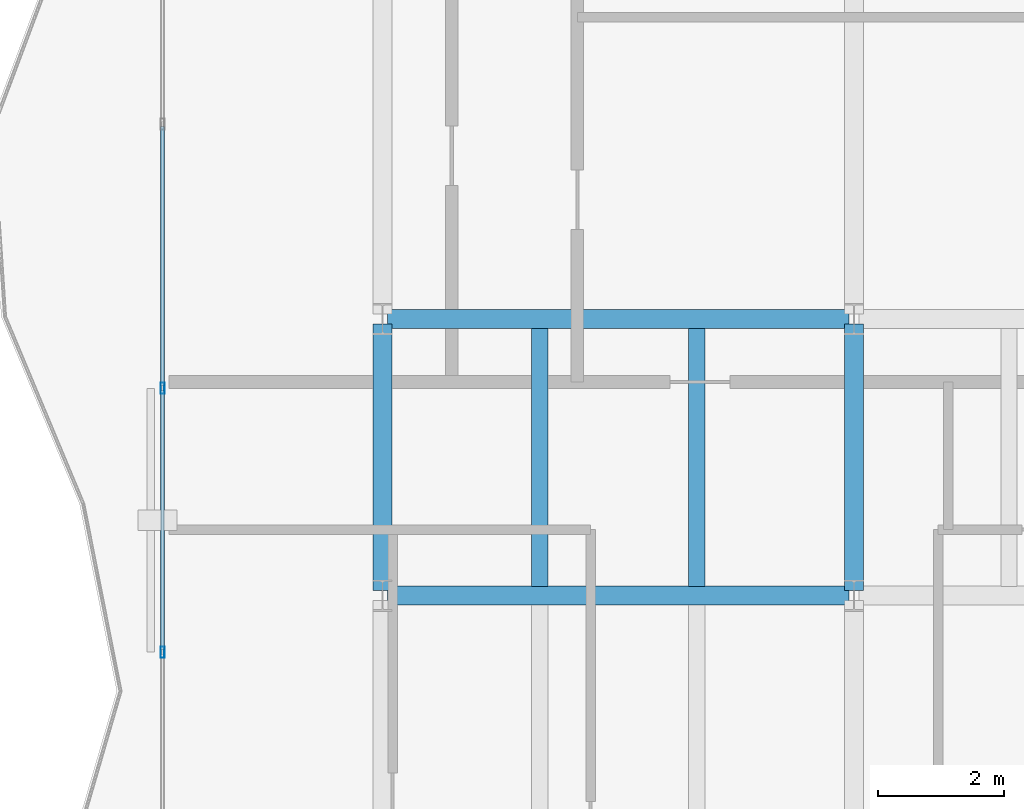
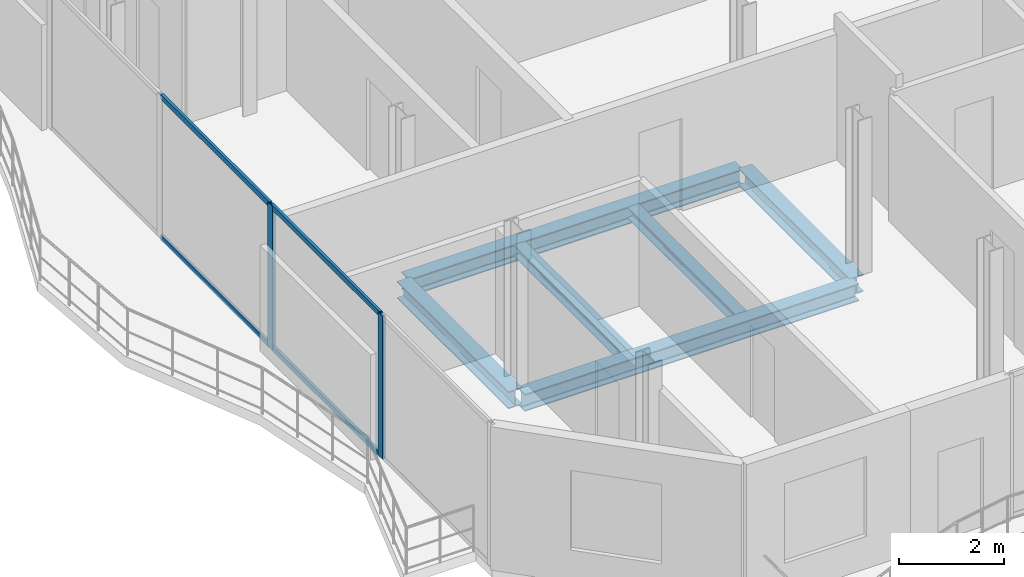
# One storey, part 5 of 23: 6 beams, 6 members, 1 element without a shape of its own.
"""IFC4 building model written with IfcOpenShell, lengths in metres."""

from ifc_helpers import new_model, si_unit, direction, frame, origin, origin_2d, place, context, subcontext, project, spatial, hollow_rectangle, i_section, extrude, material, layer, layer_set, material_profile, profile_set, type_object, element, aggregate, save


model = new_model("IFC4")

# Units and contexts
model_context = context("Model", 3, precision=1e-05, world=origin(), true_north=direction((0.0, 1.0)))
body_context = subcontext(model_context, "Body", "Model", "MODEL_VIEW")
ifc_project = project(units=[si_unit("LENGTHUNIT", "METRE"), si_unit("AREAUNIT", "SQUARE_METRE"), si_unit("VOLUMEUNIT", "CUBIC_METRE"), si_unit("PLANEANGLEUNIT", "RADIAN"), si_unit("MASSUNIT", "GRAM", prefix="KILO")], contexts=[model_context])

# Site, building, storey
site_placement = place(None, origin())
site = spatial("IfcSite", under=ifc_project, at=site_placement, CompositionType="ELEMENT")
building_placement = place(site_placement, origin())
building = spatial("IfcBuilding", under=site, at=building_placement, Name="Catumbela Crestline Tower", CompositionType="ELEMENT")
storey_placement = place(building_placement, frame((0.0, 0.0, 193.8)))
storey = spatial("IfcBuildingStorey", under=building, at=storey_placement, Name="L50", CompositionType="ELEMENT", Elevation=193.8)

# Beams
ifc_material_1 = material(Name="Structural steel S355J2", Category="steel")
ifc_material_profile_1 = material_profile(ifc_material_1, i_section(OverallWidth=0.3, OverallDepth=0.4, WebThickness=0.0135, FlangeThickness=0.024, FilletRadius=0.027, at=origin_2d()), Name="HEB 400")
ifc_profile_set_1 = profile_set([ifc_material_profile_1], Name="Structural steel S355J2")
beam_type_1 = type_object("IfcBeamType", Name="BG-HEB400", PredefinedType="BEAM", material=ifc_profile_set_1)
for number, where, z_axis, x_axis, name in (
    (1, (8.58, 13.6, -0.46), (1.0, 0.0, 0.0), (0.0, 1.0, 0.0), "L50 Beam BM-L50-WEW33"),
    (2, (8.58, 18.0, -0.46), (1.0, 0.0, 0.0), (0.0, 1.0, 0.0), "L50 Beam BM-L50-WEW35"),
):
    element("IfcBeam", number, at=place(storey_placement, frame(where, z_axis=z_axis, x_axis=x_axis)), inside=storey, type_object=beam_type_1, Name=name, PredefinedType="BEAM", context=body_context, shape_type="SweptSolid", body=[
        extrude(i_section(OverallWidth=0.3, OverallDepth=0.4, WebThickness=0.0135, FlangeThickness=0.024, FilletRadius=0.027, at=origin_2d()), origin(), (0.0, 0.0, 1.0), 7.34),
    ])
for number, where, z_axis, x_axis, name in (
    (3, (8.5, 13.68, -0.46), (0.0, 1.0, 0.0), (-1.0, 0.0, 0.0), "L50 Beam BM-L50-WNS38"),
    (4, (16.0, 13.68, -0.46), (0.0, 1.0, 0.0), (-1.0, 0.0, 0.0), "L50 Beam BM-L50-WNS41"),
):
    element("IfcBeam", number, at=place(storey_placement, frame(where, z_axis=z_axis, x_axis=x_axis)), inside=storey, type_object=beam_type_1, Name=name, PredefinedType="BEAM", context=body_context, shape_type="SweptSolid", body=[
        extrude(i_section(OverallWidth=0.3, OverallDepth=0.4, WebThickness=0.0135, FlangeThickness=0.024, FilletRadius=0.027, at=origin_2d()), origin(), (0.0, 0.0, 1.0), 4.24),
    ])
ifc_material_profile_2 = material_profile(ifc_material_1, i_section(OverallWidth=0.26, OverallDepth=0.25, WebThickness=0.0075, FlangeThickness=0.0125, FilletRadius=0.024, at=origin_2d()), Name="HEA 260")
ifc_profile_set_2 = profile_set([ifc_material_profile_2], Name="Structural steel S355J2")
beam_type_2 = type_object("IfcBeamType", Name="BJ-HEA260", PredefinedType="JOIST", material=ifc_profile_set_2)
for number, where, z_axis, x_axis, name in (
    (5, (11.0, 13.747, -0.385), (0.0, 1.0, 0.0), (-1.0, 0.0, 0.0), "L50 Joist JS-L50-WG46"),
    (6, (13.5, 13.747, -0.385), (0.0, 1.0, 0.0), (-1.0, 0.0, 0.0), "L50 Joist JS-L50-WG47"),
):
    element("IfcBeam", number, at=place(storey_placement, frame(where, z_axis=z_axis, x_axis=x_axis)), inside=storey, type_object=beam_type_2, Name=name, PredefinedType="JOIST", context=body_context, shape_type="SweptSolid", body=[
        extrude(i_section(OverallWidth=0.26, OverallDepth=0.25, WebThickness=0.0075, FlangeThickness=0.0125, FilletRadius=0.024, at=origin_2d()), origin(), (0.0, 0.0, 1.0), 4.106),
    ])

# Curtain wall, members
ifc_material_2 = material(Name="Aluminium alloy AW-6060-T66", Category="aluminium")
ifc_layer = layer(ifc_material_2, 0.18, Name="Aluminium alloy AW-6060-T66")
ifc_layer_set = layer_set([ifc_layer], Name="Aluminium alloy AW-6060-T66")
curtain_wall_type = type_object("IfcCurtainWallType", Name="CWU-Z3", PredefinedType="USERDEFINED", material=ifc_layer_set)
curtain_wall_placement = place(storey_placement, origin())
curtain_wall = element("IfcCurtainWall", 7, at=curtain_wall_placement, inside=storey, type_object=curtain_wall_type, Name="L50 Unitised Curtain Wall CW-L50-E9S2", ObjectType="UNITISED", PredefinedType="USERDEFINED")
ifc_material_profile_3 = material_profile(ifc_material_2, hollow_rectangle(XDim=0.065, YDim=0.18, WallThickness=0.004, at=origin_2d()), Name="ALU 180x65x4")
ifc_profile_set_3 = profile_set([ifc_material_profile_3], Name="Aluminium alloy AW-6060-T66")
member_type_1 = type_object("IfcMemberType", Name="MUL-180X65", PredefinedType="MULLION", material=ifc_profile_set_3)
member_1_placement = place(storey_placement, frame((5.0, 16.9, 0.0), z_axis=(0.0, 0.0, 1.0), x_axis=(1.0, 0.0, 0.0)))
member_1 = element("IfcMember", 8, at=member_1_placement, type_object=member_type_1, Name="CWU-Z3 mullion 5", PredefinedType="MULLION", context=body_context, shape_type="SweptSolid", body=[
    extrude(hollow_rectangle(XDim=0.065, YDim=0.18, WallThickness=0.004, at=origin_2d()), origin(), (0.0, 0.0, 1.0), 3.33),
])
member_2_placement = place(storey_placement, frame((5.0, 12.7, 0.0), z_axis=(0.0, 0.0, 1.0), x_axis=(1.0, 0.0, 0.0)))
member_2 = element("IfcMember", 9, at=member_2_placement, type_object=member_type_1, Name="CWU-Z3 mullion 6", PredefinedType="MULLION", context=body_context, shape_type="SweptSolid", body=[
    extrude(hollow_rectangle(XDim=0.065, YDim=0.18, WallThickness=0.004, at=origin_2d()), origin(), (0.0, 0.0, 1.0), 3.33),
])
ifc_material_profile_4 = material_profile(ifc_material_2, hollow_rectangle(XDim=0.06, YDim=0.12, WallThickness=0.0035, at=origin_2d()), Name="ALU 120x60x3.5")
ifc_profile_set_4 = profile_set([ifc_material_profile_4], Name="Aluminium alloy AW-6060-T66")
member_type_2 = type_object("IfcMemberType", Name="TRN-120X60", PredefinedType="USERDEFINED", material=ifc_profile_set_4)
member_3_placement = place(storey_placement, frame((5.0, 21.0675, 0.03), z_axis=(0.0, -1.0, 0.0), x_axis=(1.0, 0.0, 0.0)))
member_3 = element("IfcMember", 10, at=member_3_placement, type_object=member_type_2, Name="CWU-Z3 transom 4.1", ObjectType="TRANSOM", PredefinedType="USERDEFINED", context=body_context, shape_type="SweptSolid", body=[
    extrude(hollow_rectangle(XDim=0.06, YDim=0.12, WallThickness=0.0035, at=origin_2d()), origin(), (0.0, 0.0, 1.0), 4.135),
])
member_4_placement = place(storey_placement, frame((5.0, 21.0675, 3.3), z_axis=(0.0, -1.0, 0.0), x_axis=(1.0, 0.0, 0.0)))
member_4 = element("IfcMember", 11, at=member_4_placement, type_object=member_type_2, Name="CWU-Z3 transom 4.2", ObjectType="TRANSOM", PredefinedType="USERDEFINED", context=body_context, shape_type="SweptSolid", body=[
    extrude(hollow_rectangle(XDim=0.06, YDim=0.12, WallThickness=0.0035, at=origin_2d()), origin(), (0.0, 0.0, 1.0), 4.135),
])
member_5_placement = place(storey_placement, frame((5.0, 16.8675, 0.03), z_axis=(0.0, -1.0, 0.0), x_axis=(1.0, 0.0, 0.0)))
member_5 = element("IfcMember", 12, at=member_5_placement, type_object=member_type_2, Name="CWU-Z3 transom 5.1", ObjectType="TRANSOM", PredefinedType="USERDEFINED", context=body_context, shape_type="SweptSolid", body=[
    extrude(hollow_rectangle(XDim=0.06, YDim=0.12, WallThickness=0.0035, at=origin_2d()), origin(), (0.0, 0.0, 1.0), 4.135),
])
member_6_placement = place(storey_placement, frame((5.0, 16.8675, 3.3), z_axis=(0.0, -1.0, 0.0), x_axis=(1.0, 0.0, 0.0)))
member_6 = element("IfcMember", 13, at=member_6_placement, type_object=member_type_2, Name="CWU-Z3 transom 5.2", ObjectType="TRANSOM", PredefinedType="USERDEFINED", context=body_context, shape_type="SweptSolid", body=[
    extrude(hollow_rectangle(XDim=0.06, YDim=0.12, WallThickness=0.0035, at=origin_2d()), origin(), (0.0, 0.0, 1.0), 4.135),
])
aggregate(curtain_wall, [member_1, member_2, member_3, member_4, member_5, member_6])

save(model, "model.ifc")
